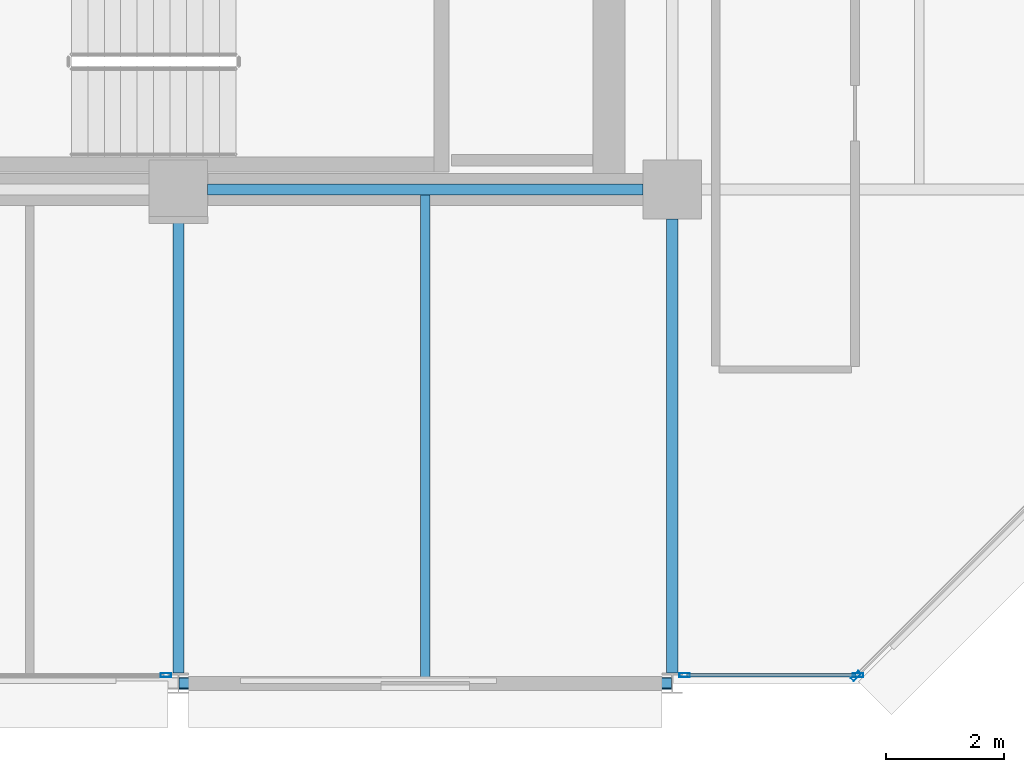
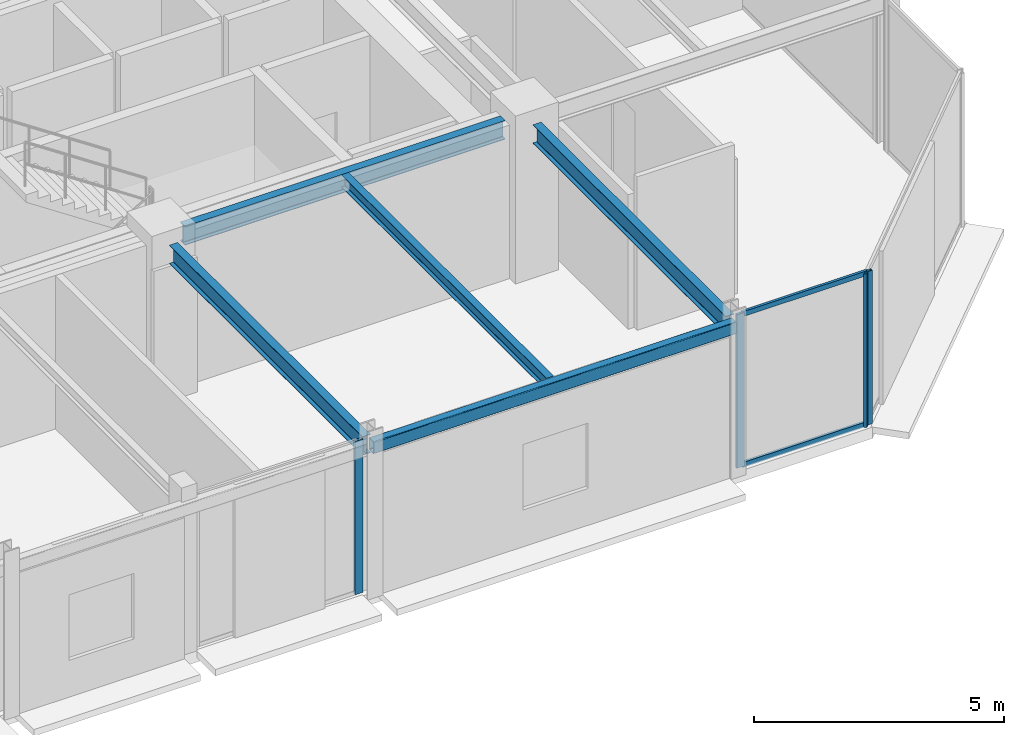
# One storey, part 11 of 30: 6 members, 5 beams, 3 elements without a shape of their own.
"""IFC4 building model written with IfcOpenShell, lengths in metres."""

from ifc_helpers import new_model, si_unit, direction, frame, origin, origin_2d, place, context, subcontext, project, spatial, hollow_rectangle, i_section, extrude, material, layer, layer_set, material_profile, profile_set, type_object, element, aggregate, save


model = new_model("IFC4")

# Units and contexts
model_context = context("Model", 3, precision=1e-05, world=origin(), true_north=direction((0.0, 1.0)))
body_context = subcontext(model_context, "Body", "Model", "MODEL_VIEW")
ifc_project = project(units=[si_unit("LENGTHUNIT", "METRE"), si_unit("AREAUNIT", "SQUARE_METRE"), si_unit("VOLUMEUNIT", "CUBIC_METRE"), si_unit("PLANEANGLEUNIT", "RADIAN"), si_unit("MASSUNIT", "GRAM", prefix="KILO")], contexts=[model_context])

# Site, building, storey
site_placement = place(None, origin())
site = spatial("IfcSite", under=ifc_project, at=site_placement, CompositionType="ELEMENT")
building_placement = place(site_placement, origin())
building = spatial("IfcBuilding", under=site, at=building_placement, Name="Nerrivon Quay Data Exchange", CompositionType="ELEMENT")
storey_placement = place(building_placement, frame((0.0, 0.0, 216.5)))
storey = spatial("IfcBuildingStorey", under=building, at=storey_placement, Name="L51", CompositionType="ELEMENT", Elevation=216.5)

# Beams
ifc_material_1 = material(Name="Steel Grade 350", Category="steel")
ifc_material_profile_1 = material_profile(ifc_material_1, i_section(OverallWidth=0.19091796875, OverallDepth=0.4599609375, WebThickness=0.010009765625, FlangeThickness=0.01611328125, FilletRadius=0.011474609375, at=origin_2d()), Name="460UB82.1")
ifc_profile_set_1 = profile_set([ifc_material_profile_1], Name="Steel Grade 350")
beam_type_1 = type_object("IfcBeamType", Name="BM-G5-460UB82", PredefinedType="BEAM", material=ifc_profile_set_1)
beam_1_placement = place(storey_placement, frame((25.699951171875, 8.39990234375, 3.52001953125), z_axis=(1.0, 0.0, 0.0), x_axis=(0.0, 1.0, 0.0)))
element("IfcBeam", 1, at=beam_1_placement, inside=storey, type_object=beam_type_1, Name="L51 EW Girder Y=8.4 (25.2..33.6)", PredefinedType="BEAM", context=body_context, shape_type="SweptSolid", body=[
    extrude(i_section(OverallWidth=0.19091796875, OverallDepth=0.4599609375, WebThickness=0.010009765625, FlangeThickness=0.01611328125, FilletRadius=0.011474609375, at=origin_2d()), origin(), (0.0, 0.0, 1.0), 7.400146484375),
])
ifc_material_profile_2 = material_profile(ifc_material_1, i_section(OverallWidth=0.18994140625, OverallDepth=0.4541015625, WebThickness=0.008544921875, FlangeThickness=0.0126953125, FilletRadius=0.011474609375, at=origin_2d()), Name="460UB67.1")
ifc_profile_set_2 = profile_set([ifc_material_profile_2], Name="Steel Grade 350")
beam_type_2 = type_object("IfcBeamType", Name="BM-G6-460UB67", PredefinedType="BEAM", material=ifc_profile_set_2)
for number, where, z_axis, x_axis, name in (
    (2, (25.199951171875, 0.175048828125, 3.52294921875), (0.0, 1.0, 0.0), (-1.0, 0.0, 0.0), "L51 NS Girder X=25.2 (0.0..8.4)"),
    (3, (33.60009765625, 0.175048828125, 3.52294921875), (0.0, 1.0, 0.0), (-1.0, 0.0, 0.0), "L51 NS Girder X=33.6 (0.0..8.4)"),
):
    element("IfcBeam", number, at=place(storey_placement, frame(where, z_axis=z_axis, x_axis=x_axis)), inside=storey, type_object=beam_type_2, Name=name, PredefinedType="BEAM", context=body_context, shape_type="SweptSolid", body=[
        extrude(i_section(OverallWidth=0.18994140625, OverallDepth=0.4541015625, WebThickness=0.008544921875, FlangeThickness=0.0126953125, FilletRadius=0.011474609375, at=origin_2d()), origin(), (0.0, 0.0, 1.0), 7.724853515625),
    ])
ifc_material_profile_3 = material_profile(ifc_material_1, i_section(OverallWidth=0.166015625, OverallDepth=0.306884765625, WebThickness=0.006591796875, FlangeThickness=0.01171875, FilletRadius=0.011474609375, at=origin_2d()), Name="310UB46.2")
ifc_profile_set_3 = profile_set([ifc_material_profile_3], Name="Steel Grade 350")
beam_type_3 = type_object("IfcBeamType", Name="BM-J5-310UB46", PredefinedType="JOIST", material=ifc_profile_set_3)
beam_2_placement = place(storey_placement, frame((29.39990234375, 0.10009765625, 3.596435546875), z_axis=(0.0, 1.0, 0.0), x_axis=(-1.0, 0.0, 0.0)))
element("IfcBeam", 4, at=beam_2_placement, inside=storey, type_object=beam_type_3, Name="L51 Secondary Joist X=29.4 (0.0..8.4)", PredefinedType="JOIST", context=body_context, shape_type="SweptSolid", body=[
    extrude(i_section(OverallWidth=0.166015625, OverallDepth=0.306884765625, WebThickness=0.006591796875, FlangeThickness=0.01171875, FilletRadius=0.011474609375, at=origin_2d()), origin(), (0.0, 0.0, 1.0), 8.204345703125),
])
ifc_material_2 = material(Name="Steel Grade C350L0 (350 MPa)", Category="steel")
ifc_material_profile_4 = material_profile(ifc_material_2, hollow_rectangle(XDim=0.199951171875, YDim=0.300048828125, WallThickness=0.012451171875, InnerFilletRadius=0.018798828125, OuterFilletRadius=0.03125, at=origin_2d()), Name="300x200x12.5RHS")
ifc_profile_set_4 = profile_set([ifc_material_profile_4], Name="Steel Grade C350L0 (350 MPa)")
beam_type_4 = type_object("IfcBeamType", Name="BM-SP3-300x200RHS", PredefinedType="SPANDREL", material=ifc_profile_set_4)
beam_3_placement = place(storey_placement, frame((25.2099609375, 0.0, 3.60009765625), z_axis=(1.0, 0.0, 0.0), x_axis=(0.0, 1.0, 0.0)))
element("IfcBeam", 5, at=beam_3_placement, inside=storey, type_object=beam_type_4, Name="L51 EW Girder Y=0.0 (25.2..33.6)", PredefinedType="SPANDREL", context=body_context, shape_type="SweptSolid", body=[
    extrude(hollow_rectangle(XDim=0.199951171875, YDim=0.300048828125, WallThickness=0.012451171875, InnerFilletRadius=0.018798828125, OuterFilletRadius=0.03125, at=origin_2d()), origin(), (0.0, 0.0, 1.0), 8.380126953125),
])

# Curtain wall, member
ifc_material_3 = material(Name="Anodised aluminium 6063-T6", Category="aluminium")
ifc_layer = layer(ifc_material_3, 0.195068359375)
ifc_layer_set = layer_set([ifc_layer], Name="Anodised aluminium 6063-T6")
curtain_wall_type = type_object("IfcCurtainWallType", Name="CW-SYS-06", PredefinedType="NOTDEFINED", material=ifc_layer_set)
curtain_wall_1_placement = place(storey_placement, origin())
curtain_wall_1 = element("IfcCurtainWall", 6, at=curtain_wall_1_placement, inside=storey, type_object=curtain_wall_type, Name="L51 Unitised Curtain Wall 21", PredefinedType="NOTDEFINED")
ifc_material_profile_5 = material_profile(ifc_material_3, hollow_rectangle(XDim=0.06494140625, YDim=0.179931640625, WallThickness=0.00341796875, at=origin_2d()), Name="ALU-MULL-180x65")
ifc_profile_set_5 = profile_set([ifc_material_profile_5], Name="Anodised aluminium 6063-T6")
member_type_1 = type_object("IfcMemberType", Name="CWM-180x65", PredefinedType="MULLION", material=ifc_profile_set_5)
member_1_placement = place(storey_placement, frame((36.7275390625, 0.12548828125, 0.0), z_axis=(0.0, 0.0, 1.0), x_axis=(0.707106781187, -0.707106781187, 0.0)))
member_1 = element("IfcMember", 7, at=member_1_placement, type_object=member_type_1, Name="CW06 mullion 2", PredefinedType="MULLION", context=body_context, shape_type="SweptSolid", body=[
    extrude(hollow_rectangle(XDim=0.06494140625, YDim=0.179931640625, WallThickness=0.00341796875, at=origin_2d()), origin(), (0.0, 0.0, 1.0), 3.75),
])
aggregate(curtain_wall_1, [member_1])

# Curtain wall, members
curtain_wall_2_placement = place(storey_placement, origin())
curtain_wall_2 = element("IfcCurtainWall", 8, at=curtain_wall_2_placement, inside=storey, type_object=curtain_wall_type, Name="L51 Unitised Curtain Wall 22", PredefinedType="NOTDEFINED")
member_2_placement = place(storey_placement, frame((36.762451171875, 0.139892578125, 0.0), z_axis=(0.0, 0.0, 1.0), x_axis=(0.0, -1.0, 0.0)))
member_2 = element("IfcMember", 9, at=member_2_placement, type_object=member_type_1, Name="CW06 mullion 1", PredefinedType="MULLION", context=body_context, shape_type="SweptSolid", body=[
    extrude(hollow_rectangle(XDim=0.06494140625, YDim=0.179931640625, WallThickness=0.00341796875, at=origin_2d()), origin(), (0.0, 0.0, 1.0), 3.75),
])
member_3_placement = place(storey_placement, frame((33.8125, 0.139892578125, 0.0), z_axis=(0.0, 0.0, 1.0), x_axis=(0.0, -1.0, 0.0)))
member_3 = element("IfcMember", 10, at=member_3_placement, type_object=member_type_1, Name="CW06 mullion 2", PredefinedType="MULLION", context=body_context, shape_type="SweptSolid", body=[
    extrude(hollow_rectangle(XDim=0.06494140625, YDim=0.179931640625, WallThickness=0.00341796875, at=origin_2d()), origin(), (0.0, 0.0, 1.0), 3.75),
])

# Curtain wall, member
curtain_wall_3_placement = place(storey_placement, origin())
curtain_wall_3 = element("IfcCurtainWall", 11, at=curtain_wall_3_placement, inside=storey, type_object=curtain_wall_type, Name="L51 Unitised Curtain Wall 24", PredefinedType="NOTDEFINED")
member_4_placement = place(storey_placement, frame((24.987548828125, 0.139892578125, 0.0), z_axis=(0.0, 0.0, 1.0), x_axis=(0.0, -1.0, 0.0)))
member_4 = element("IfcMember", 12, at=member_4_placement, type_object=member_type_1, Name="CW06 mullion 1", PredefinedType="MULLION", context=body_context, shape_type="SweptSolid", body=[
    extrude(hollow_rectangle(XDim=0.06494140625, YDim=0.179931640625, WallThickness=0.00341796875, at=origin_2d()), origin(), (0.0, 0.0, 1.0), 3.75),
])
aggregate(curtain_wall_3, [member_4])

# Member
ifc_material_profile_6 = material_profile(ifc_material_3, hollow_rectangle(XDim=0.06005859375, YDim=0.1201171875, WallThickness=0.003173828125, at=origin_2d()), Name="ALU-TRAN-120x60")
ifc_profile_set_6 = profile_set([ifc_material_profile_6], Name="Anodised aluminium 6063-T6")
member_type_2 = type_object("IfcMemberType", Name="CWT-120x60", PredefinedType="USERDEFINED", material=ifc_profile_set_6)
member_5_placement = place(storey_placement, frame((36.72509765625, 0.139892578125, 0.032470703125), z_axis=(-1.0, 0.0, 0.0), x_axis=(0.0, -1.0, 0.0)))
member_5 = element("IfcMember", 13, at=member_5_placement, type_object=member_type_2, Name="CW06 transom 1.1", ObjectType="TRANSOM", PredefinedType="USERDEFINED", context=body_context, shape_type="SweptSolid", body=[
    extrude(hollow_rectangle(XDim=0.06005859375, YDim=0.1201171875, WallThickness=0.003173828125, at=origin_2d()), origin(), (0.0, 0.0, 1.0), 2.875),
])

member_6_placement = place(storey_placement, frame((36.72509765625, 0.139892578125, 3.717529296875), z_axis=(-1.0, 0.0, 0.0), x_axis=(0.0, -1.0, 0.0)))
member_6 = element("IfcMember", 14, at=member_6_placement, type_object=member_type_2, Name="CW06 transom 1.2", ObjectType="TRANSOM", PredefinedType="USERDEFINED", context=body_context, shape_type="SweptSolid", body=[
    extrude(hollow_rectangle(XDim=0.06005859375, YDim=0.1201171875, WallThickness=0.003173828125, at=origin_2d()), origin(), (0.0, 0.0, 1.0), 2.875),
])

aggregate(curtain_wall_2, [member_2, member_3, member_5, member_6])

save(model, "model.ifc")
